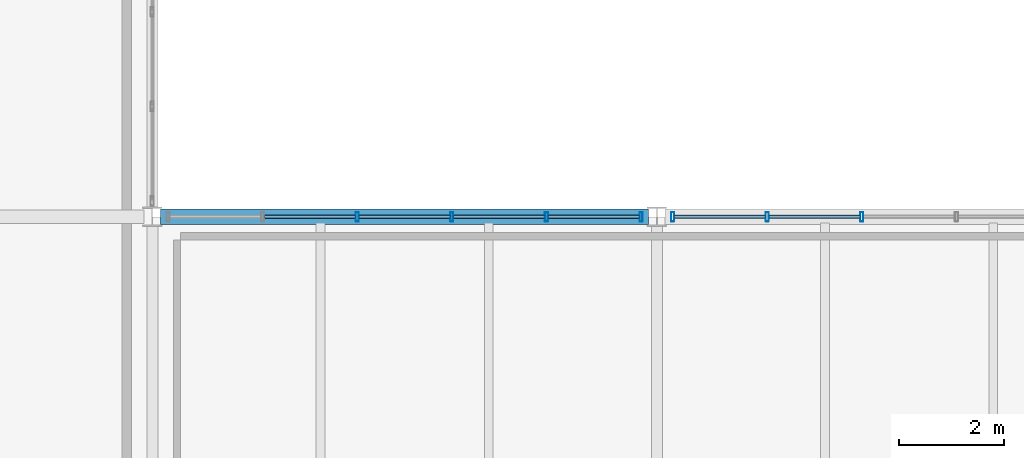
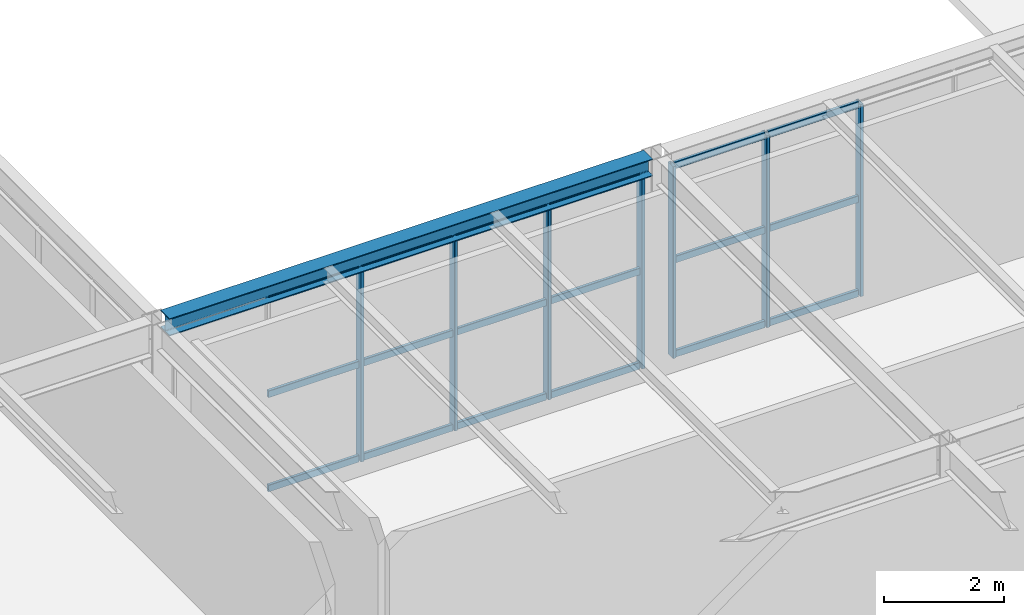
# One storey, part 34 of 170: 25 members, 1 beam, 2 elements without a shape of their own.
"""IFC4 building model written with IfcOpenShell, lengths in metres."""

from ifc_helpers import new_model, si_unit, direction, frame, origin, origin_2d, place, context, subcontext, project, spatial, hollow_rectangle, i_section, extrude, material, material_profile, profile_set, type_object, element, aggregate, save


model = new_model("IFC4")

# Units and contexts
model_context = context("Model", 3, precision=1e-05, world=origin(), true_north=direction((0.0, 1.0)))
body_context = subcontext(model_context, "Body", "Model", "MODEL_VIEW")
ifc_project = project(units=[si_unit("LENGTHUNIT", "METRE"), si_unit("AREAUNIT", "SQUARE_METRE"), si_unit("VOLUMEUNIT", "CUBIC_METRE"), si_unit("PLANEANGLEUNIT", "RADIAN"), si_unit("MASSUNIT", "GRAM", prefix="KILO")], contexts=[model_context])

# Site, building, storey
site_placement = place(None, origin())
site = spatial("IfcSite", under=ifc_project, at=site_placement, CompositionType="ELEMENT")
building_placement = place(site_placement, origin())
building = spatial("IfcBuilding", under=site, at=building_placement, Name="Coralgate Yard Interchange", CompositionType="ELEMENT")
storey_placement = place(building_placement, frame((0.0, 0.0, 6.0)))
storey = spatial("IfcBuildingStorey", under=building, at=storey_placement, Name="L01", CompositionType="ELEMENT", Elevation=6.0)

# Beam
ifc_material_1 = material(Name="Structural steel S355J2", Category="steel")
ifc_material_profile_1 = material_profile(ifc_material_1, i_section(OverallWidth=0.300048828125, OverallDepth=0.35009765625, WebThickness=0.010009765625, FlangeThickness=0.017578125, FilletRadius=0.027099609375, at=origin_2d()), Name="HEA 360")
ifc_profile_set_1 = profile_set([ifc_material_profile_1], Name="Structural steel S355J2")
beam_type = type_object("IfcBeamType", Name="BM-SP-1", PredefinedType="SPANDREL", material=ifc_profile_set_1)
beam_placement = place(storey_placement, frame((28.956298828125, 19.199951171875, 4.074951171875), z_axis=(1.0, 0.0, 0.0), x_axis=(0.0, 1.0, 0.0)))
element("IfcBeam", 1, at=beam_placement, inside=storey, type_object=beam_type, Name="L01 primary grid beam Y2 X3-4", PredefinedType="SPANDREL", context=body_context, shape_type="SweptSolid", body=[
    extrude(i_section(OverallWidth=0.300048828125, OverallDepth=0.35009765625, WebThickness=0.010009765625, FlangeThickness=0.017578125, FilletRadius=0.027099609375, at=origin_2d()), origin(), (0.0, 0.0, 1.0), 9.287353515625),
])

# Curtain wall, members
ifc_material_2 = material(Name="Anodised coastal aluminium and solar-control low-E glass", Category="aluminium")
curtain_wall_type = type_object("IfcCurtainWallType", Name="CW-CW-L01-A", PredefinedType="NOTDEFINED", material=ifc_material_2)
curtain_wall_1_placement = place(storey_placement, origin())
curtain_wall_1 = element("IfcCurtainWall", 2, at=curtain_wall_1_placement, inside=storey, type_object=curtain_wall_type, Name="L01 unitised curtain wall CW-L01-N-03-01", PredefinedType="NOTDEFINED")
ifc_material_3 = material(Name="Anodised coastal aluminium 6063-T6", Category="aluminium")
ifc_material_profile_2 = material_profile(ifc_material_3, hollow_rectangle(XDim=0.06005859375, YDim=0.179931640625, WallThickness=0.00390625, InnerFilletRadius=0.00390625, OuterFilletRadius=0.008056640625, at=origin_2d()), Name="ALU 60x180x4")
ifc_profile_set_2 = profile_set([ifc_material_profile_2], Name="Anodised coastal aluminium 6063-T6")
member_type_1 = type_object("IfcMemberType", Name="MB-MUL-180", PredefinedType="MULLION", material=ifc_profile_set_2)
member_1_placement = place(storey_placement, frame((32.699951171875, 19.199951171875, 0.0), z_axis=(0.0, 0.0, 1.0), x_axis=(1.0, 0.0, 0.0)))
member_1 = element("IfcMember", 3, at=member_1_placement, type_object=member_type_1, Name="CW-L01-N-03-01 vertical mullion 3", PredefinedType="MULLION", context=body_context, shape_type="SweptSolid", body=[
    extrude(hollow_rectangle(XDim=0.06005859375, YDim=0.179931640625, WallThickness=0.00390625, InnerFilletRadius=0.00390625, OuterFilletRadius=0.008056640625, at=origin_2d()), origin(), (0.0, 0.0, 1.0), 3.89990234375),
])
member_2_placement = place(storey_placement, frame((34.5, 19.199951171875, 0.0), z_axis=(0.0, 0.0, 1.0), x_axis=(1.0, 0.0, 0.0)))
member_2 = element("IfcMember", 4, at=member_2_placement, type_object=member_type_1, Name="CW-L01-N-03-01 vertical mullion 4", PredefinedType="MULLION", context=body_context, shape_type="SweptSolid", body=[
    extrude(hollow_rectangle(XDim=0.06005859375, YDim=0.179931640625, WallThickness=0.00390625, InnerFilletRadius=0.00390625, OuterFilletRadius=0.008056640625, at=origin_2d()), origin(), (0.0, 0.0, 1.0), 3.89990234375),
])
member_3_placement = place(storey_placement, frame((36.300048828125, 19.199951171875, 0.0), z_axis=(0.0, 0.0, 1.0), x_axis=(1.0, 0.0, 0.0)))
member_3 = element("IfcMember", 5, at=member_3_placement, type_object=member_type_1, Name="CW-L01-N-03-01 vertical mullion 5", PredefinedType="MULLION", context=body_context, shape_type="SweptSolid", body=[
    extrude(hollow_rectangle(XDim=0.06005859375, YDim=0.179931640625, WallThickness=0.00390625, InnerFilletRadius=0.00390625, OuterFilletRadius=0.008056640625, at=origin_2d()), origin(), (0.0, 0.0, 1.0), 3.89990234375),
])
member_4_placement = place(storey_placement, frame((38.10009765625, 19.199951171875, 0.0), z_axis=(0.0, 0.0, 1.0), x_axis=(1.0, 0.0, 0.0)))
member_4 = element("IfcMember", 6, at=member_4_placement, type_object=member_type_1, Name="CW-L01-N-03-01 vertical mullion 6", PredefinedType="MULLION", context=body_context, shape_type="SweptSolid", body=[
    extrude(hollow_rectangle(XDim=0.06005859375, YDim=0.179931640625, WallThickness=0.00390625, InnerFilletRadius=0.00390625, OuterFilletRadius=0.008056640625, at=origin_2d()), origin(), (0.0, 0.0, 1.0), 3.89990234375),
])

curtain_wall_2_placement = place(storey_placement, origin())
curtain_wall_2 = element("IfcCurtainWall", 7, at=curtain_wall_2_placement, inside=storey, type_object=curtain_wall_type, Name="L01 unitised curtain wall CW-L01-N-04-01", PredefinedType="NOTDEFINED")
member_5_placement = place(storey_placement, frame((38.699951171875, 19.199951171875, 0.0), z_axis=(0.0, 0.0, 1.0), x_axis=(1.0, 0.0, 0.0)))
member_5 = element("IfcMember", 8, at=member_5_placement, type_object=member_type_1, Name="CW-L01-N-04-01 vertical mullion 1", PredefinedType="MULLION", context=body_context, shape_type="SweptSolid", body=[
    extrude(hollow_rectangle(XDim=0.06005859375, YDim=0.179931640625, WallThickness=0.00390625, InnerFilletRadius=0.00390625, OuterFilletRadius=0.008056640625, at=origin_2d()), origin(), (0.0, 0.0, 1.0), 3.89990234375),
])
member_6_placement = place(storey_placement, frame((40.5, 19.199951171875, 0.0), z_axis=(0.0, 0.0, 1.0), x_axis=(1.0, 0.0, 0.0)))
member_6 = element("IfcMember", 9, at=member_6_placement, type_object=member_type_1, Name="CW-L01-N-04-01 vertical mullion 2", PredefinedType="MULLION", context=body_context, shape_type="SweptSolid", body=[
    extrude(hollow_rectangle(XDim=0.06005859375, YDim=0.179931640625, WallThickness=0.00390625, InnerFilletRadius=0.00390625, OuterFilletRadius=0.008056640625, at=origin_2d()), origin(), (0.0, 0.0, 1.0), 3.89990234375),
])
member_7_placement = place(storey_placement, frame((42.300048828125, 19.199951171875, 0.0), z_axis=(0.0, 0.0, 1.0), x_axis=(1.0, 0.0, 0.0)))
member_7 = element("IfcMember", 10, at=member_7_placement, type_object=member_type_1, Name="CW-L01-N-04-01 vertical mullion 3", PredefinedType="MULLION", context=body_context, shape_type="SweptSolid", body=[
    extrude(hollow_rectangle(XDim=0.06005859375, YDim=0.179931640625, WallThickness=0.00390625, InnerFilletRadius=0.00390625, OuterFilletRadius=0.008056640625, at=origin_2d()), origin(), (0.0, 0.0, 1.0), 3.89990234375),
])

# Member
ifc_material_profile_3 = material_profile(ifc_material_3, hollow_rectangle(XDim=0.06005859375, YDim=0.139892578125, WallThickness=0.00341796875, InnerFilletRadius=0.00341796875, OuterFilletRadius=0.007080078125, at=origin_2d()), Name="ALU 60x140x3.5")
ifc_profile_set_3 = profile_set([ifc_material_profile_3], Name="Anodised coastal aluminium 6063-T6")
member_type_2 = type_object("IfcMemberType", Name="MB-TRN-140", PredefinedType="USERDEFINED", material=ifc_profile_set_3)
member_8_placement = place(storey_placement, frame((30.929931640625, 19.199951171875, 0.034912109375), z_axis=(1.0, 0.0, 0.0), x_axis=(0.0, 1.0, 0.0)))
member_8 = element("IfcMember", 11, at=member_8_placement, type_object=member_type_2, Name="CW-L01-N-03-01 horizontal transom 2-1", ObjectType="TRANSOM", PredefinedType="USERDEFINED", context=body_context, shape_type="SweptSolid", body=[
    extrude(hollow_rectangle(XDim=0.06005859375, YDim=0.139892578125, WallThickness=0.00341796875, InnerFilletRadius=0.00341796875, OuterFilletRadius=0.007080078125, at=origin_2d()), origin(), (0.0, 0.0, 1.0), 1.739990234375),
])

member_9_placement = place(storey_placement, frame((30.929931640625, 19.199951171875, 1.949951171875), z_axis=(1.0, 0.0, 0.0), x_axis=(0.0, 1.0, 0.0)))
member_9 = element("IfcMember", 12, at=member_9_placement, type_object=member_type_2, Name="CW-L01-N-03-01 horizontal transom 2-2", ObjectType="TRANSOM", PredefinedType="USERDEFINED", context=body_context, shape_type="SweptSolid", body=[
    extrude(hollow_rectangle(XDim=0.06005859375, YDim=0.139892578125, WallThickness=0.00341796875, InnerFilletRadius=0.00341796875, OuterFilletRadius=0.007080078125, at=origin_2d()), origin(), (0.0, 0.0, 1.0), 1.739990234375),
])

member_10_placement = place(storey_placement, frame((30.929931640625, 19.199951171875, 3.864990234375), z_axis=(1.0, 0.0, 0.0), x_axis=(0.0, 1.0, 0.0)))
member_10 = element("IfcMember", 13, at=member_10_placement, type_object=member_type_2, Name="CW-L01-N-03-01 horizontal transom 2-3", ObjectType="TRANSOM", PredefinedType="USERDEFINED", context=body_context, shape_type="SweptSolid", body=[
    extrude(hollow_rectangle(XDim=0.06005859375, YDim=0.139892578125, WallThickness=0.00341796875, InnerFilletRadius=0.00341796875, OuterFilletRadius=0.007080078125, at=origin_2d()), origin(), (0.0, 0.0, 1.0), 1.739990234375),
])

member_11_placement = place(storey_placement, frame((32.72998046875, 19.199951171875, 0.034912109375), z_axis=(1.0, 0.0, 0.0), x_axis=(0.0, 1.0, 0.0)))
member_11 = element("IfcMember", 14, at=member_11_placement, type_object=member_type_2, Name="CW-L01-N-03-01 horizontal transom 3-1", ObjectType="TRANSOM", PredefinedType="USERDEFINED", context=body_context, shape_type="SweptSolid", body=[
    extrude(hollow_rectangle(XDim=0.06005859375, YDim=0.139892578125, WallThickness=0.00341796875, InnerFilletRadius=0.00341796875, OuterFilletRadius=0.007080078125, at=origin_2d()), origin(), (0.0, 0.0, 1.0), 1.739990234375),
])

member_12_placement = place(storey_placement, frame((32.72998046875, 19.199951171875, 1.949951171875), z_axis=(1.0, 0.0, 0.0), x_axis=(0.0, 1.0, 0.0)))
member_12 = element("IfcMember", 15, at=member_12_placement, type_object=member_type_2, Name="CW-L01-N-03-01 horizontal transom 3-2", ObjectType="TRANSOM", PredefinedType="USERDEFINED", context=body_context, shape_type="SweptSolid", body=[
    extrude(hollow_rectangle(XDim=0.06005859375, YDim=0.139892578125, WallThickness=0.00341796875, InnerFilletRadius=0.00341796875, OuterFilletRadius=0.007080078125, at=origin_2d()), origin(), (0.0, 0.0, 1.0), 1.739990234375),
])

member_13_placement = place(storey_placement, frame((32.72998046875, 19.199951171875, 3.864990234375), z_axis=(1.0, 0.0, 0.0), x_axis=(0.0, 1.0, 0.0)))
member_13 = element("IfcMember", 16, at=member_13_placement, type_object=member_type_2, Name="CW-L01-N-03-01 horizontal transom 3-3", ObjectType="TRANSOM", PredefinedType="USERDEFINED", context=body_context, shape_type="SweptSolid", body=[
    extrude(hollow_rectangle(XDim=0.06005859375, YDim=0.139892578125, WallThickness=0.00341796875, InnerFilletRadius=0.00341796875, OuterFilletRadius=0.007080078125, at=origin_2d()), origin(), (0.0, 0.0, 1.0), 1.739990234375),
])

member_14_placement = place(storey_placement, frame((34.530029296875, 19.199951171875, 0.034912109375), z_axis=(1.0, 0.0, 0.0), x_axis=(0.0, 1.0, 0.0)))
member_14 = element("IfcMember", 17, at=member_14_placement, type_object=member_type_2, Name="CW-L01-N-03-01 horizontal transom 4-1", ObjectType="TRANSOM", PredefinedType="USERDEFINED", context=body_context, shape_type="SweptSolid", body=[
    extrude(hollow_rectangle(XDim=0.06005859375, YDim=0.139892578125, WallThickness=0.00341796875, InnerFilletRadius=0.00341796875, OuterFilletRadius=0.007080078125, at=origin_2d()), origin(), (0.0, 0.0, 1.0), 1.739990234375),
])

member_15_placement = place(storey_placement, frame((34.530029296875, 19.199951171875, 1.949951171875), z_axis=(1.0, 0.0, 0.0), x_axis=(0.0, 1.0, 0.0)))
member_15 = element("IfcMember", 18, at=member_15_placement, type_object=member_type_2, Name="CW-L01-N-03-01 horizontal transom 4-2", ObjectType="TRANSOM", PredefinedType="USERDEFINED", context=body_context, shape_type="SweptSolid", body=[
    extrude(hollow_rectangle(XDim=0.06005859375, YDim=0.139892578125, WallThickness=0.00341796875, InnerFilletRadius=0.00341796875, OuterFilletRadius=0.007080078125, at=origin_2d()), origin(), (0.0, 0.0, 1.0), 1.739990234375),
])

member_16_placement = place(storey_placement, frame((34.530029296875, 19.199951171875, 3.864990234375), z_axis=(1.0, 0.0, 0.0), x_axis=(0.0, 1.0, 0.0)))
member_16 = element("IfcMember", 19, at=member_16_placement, type_object=member_type_2, Name="CW-L01-N-03-01 horizontal transom 4-3", ObjectType="TRANSOM", PredefinedType="USERDEFINED", context=body_context, shape_type="SweptSolid", body=[
    extrude(hollow_rectangle(XDim=0.06005859375, YDim=0.139892578125, WallThickness=0.00341796875, InnerFilletRadius=0.00341796875, OuterFilletRadius=0.007080078125, at=origin_2d()), origin(), (0.0, 0.0, 1.0), 1.739990234375),
])

member_17_placement = place(storey_placement, frame((36.330078125, 19.199951171875, 0.034912109375), z_axis=(1.0, 0.0, 0.0), x_axis=(0.0, 1.0, 0.0)))
member_17 = element("IfcMember", 20, at=member_17_placement, type_object=member_type_2, Name="CW-L01-N-03-01 horizontal transom 5-1", ObjectType="TRANSOM", PredefinedType="USERDEFINED", context=body_context, shape_type="SweptSolid", body=[
    extrude(hollow_rectangle(XDim=0.06005859375, YDim=0.139892578125, WallThickness=0.00341796875, InnerFilletRadius=0.00341796875, OuterFilletRadius=0.007080078125, at=origin_2d()), origin(), (0.0, 0.0, 1.0), 1.739990234375),
])

member_18_placement = place(storey_placement, frame((36.330078125, 19.199951171875, 1.949951171875), z_axis=(1.0, 0.0, 0.0), x_axis=(0.0, 1.0, 0.0)))
member_18 = element("IfcMember", 21, at=member_18_placement, type_object=member_type_2, Name="CW-L01-N-03-01 horizontal transom 5-2", ObjectType="TRANSOM", PredefinedType="USERDEFINED", context=body_context, shape_type="SweptSolid", body=[
    extrude(hollow_rectangle(XDim=0.06005859375, YDim=0.139892578125, WallThickness=0.00341796875, InnerFilletRadius=0.00341796875, OuterFilletRadius=0.007080078125, at=origin_2d()), origin(), (0.0, 0.0, 1.0), 1.739990234375),
])

member_19_placement = place(storey_placement, frame((36.330078125, 19.199951171875, 3.864990234375), z_axis=(1.0, 0.0, 0.0), x_axis=(0.0, 1.0, 0.0)))
member_19 = element("IfcMember", 22, at=member_19_placement, type_object=member_type_2, Name="CW-L01-N-03-01 horizontal transom 5-3", ObjectType="TRANSOM", PredefinedType="USERDEFINED", context=body_context, shape_type="SweptSolid", body=[
    extrude(hollow_rectangle(XDim=0.06005859375, YDim=0.139892578125, WallThickness=0.00341796875, InnerFilletRadius=0.00341796875, OuterFilletRadius=0.007080078125, at=origin_2d()), origin(), (0.0, 0.0, 1.0), 1.739990234375),
])

aggregate(curtain_wall_1, [member_1, member_2, member_3, member_4, member_8, member_9, member_10, member_11, member_12, member_13, member_14, member_15, member_16, member_17, member_18, member_19])

member_20_placement = place(storey_placement, frame((38.72998046875, 19.199951171875, 0.034912109375), z_axis=(1.0, 0.0, 0.0), x_axis=(0.0, 1.0, 0.0)))
member_20 = element("IfcMember", 23, at=member_20_placement, type_object=member_type_2, Name="CW-L01-N-04-01 horizontal transom 1-1", ObjectType="TRANSOM", PredefinedType="USERDEFINED", context=body_context, shape_type="SweptSolid", body=[
    extrude(hollow_rectangle(XDim=0.06005859375, YDim=0.139892578125, WallThickness=0.00341796875, InnerFilletRadius=0.00341796875, OuterFilletRadius=0.007080078125, at=origin_2d()), origin(), (0.0, 0.0, 1.0), 1.739990234375),
])

member_21_placement = place(storey_placement, frame((38.72998046875, 19.199951171875, 1.949951171875), z_axis=(1.0, 0.0, 0.0), x_axis=(0.0, 1.0, 0.0)))
member_21 = element("IfcMember", 24, at=member_21_placement, type_object=member_type_2, Name="CW-L01-N-04-01 horizontal transom 1-2", ObjectType="TRANSOM", PredefinedType="USERDEFINED", context=body_context, shape_type="SweptSolid", body=[
    extrude(hollow_rectangle(XDim=0.06005859375, YDim=0.139892578125, WallThickness=0.00341796875, InnerFilletRadius=0.00341796875, OuterFilletRadius=0.007080078125, at=origin_2d()), origin(), (0.0, 0.0, 1.0), 1.739990234375),
])

member_22_placement = place(storey_placement, frame((38.72998046875, 19.199951171875, 3.864990234375), z_axis=(1.0, 0.0, 0.0), x_axis=(0.0, 1.0, 0.0)))
member_22 = element("IfcMember", 25, at=member_22_placement, type_object=member_type_2, Name="CW-L01-N-04-01 horizontal transom 1-3", ObjectType="TRANSOM", PredefinedType="USERDEFINED", context=body_context, shape_type="SweptSolid", body=[
    extrude(hollow_rectangle(XDim=0.06005859375, YDim=0.139892578125, WallThickness=0.00341796875, InnerFilletRadius=0.00341796875, OuterFilletRadius=0.007080078125, at=origin_2d()), origin(), (0.0, 0.0, 1.0), 1.739990234375),
])

member_23_placement = place(storey_placement, frame((40.530029296875, 19.199951171875, 0.034912109375), z_axis=(1.0, 0.0, 0.0), x_axis=(0.0, 1.0, 0.0)))
member_23 = element("IfcMember", 26, at=member_23_placement, type_object=member_type_2, Name="CW-L01-N-04-01 horizontal transom 2-1", ObjectType="TRANSOM", PredefinedType="USERDEFINED", context=body_context, shape_type="SweptSolid", body=[
    extrude(hollow_rectangle(XDim=0.06005859375, YDim=0.139892578125, WallThickness=0.00341796875, InnerFilletRadius=0.00341796875, OuterFilletRadius=0.007080078125, at=origin_2d()), origin(), (0.0, 0.0, 1.0), 1.739990234375),
])

member_24_placement = place(storey_placement, frame((40.530029296875, 19.199951171875, 1.949951171875), z_axis=(1.0, 0.0, 0.0), x_axis=(0.0, 1.0, 0.0)))
member_24 = element("IfcMember", 27, at=member_24_placement, type_object=member_type_2, Name="CW-L01-N-04-01 horizontal transom 2-2", ObjectType="TRANSOM", PredefinedType="USERDEFINED", context=body_context, shape_type="SweptSolid", body=[
    extrude(hollow_rectangle(XDim=0.06005859375, YDim=0.139892578125, WallThickness=0.00341796875, InnerFilletRadius=0.00341796875, OuterFilletRadius=0.007080078125, at=origin_2d()), origin(), (0.0, 0.0, 1.0), 1.739990234375),
])

member_25_placement = place(storey_placement, frame((40.530029296875, 19.199951171875, 3.864990234375), z_axis=(1.0, 0.0, 0.0), x_axis=(0.0, 1.0, 0.0)))
member_25 = element("IfcMember", 28, at=member_25_placement, type_object=member_type_2, Name="CW-L01-N-04-01 horizontal transom 2-3", ObjectType="TRANSOM", PredefinedType="USERDEFINED", context=body_context, shape_type="SweptSolid", body=[
    extrude(hollow_rectangle(XDim=0.06005859375, YDim=0.139892578125, WallThickness=0.00341796875, InnerFilletRadius=0.00341796875, OuterFilletRadius=0.007080078125, at=origin_2d()), origin(), (0.0, 0.0, 1.0), 1.739990234375),
])

aggregate(curtain_wall_2, [member_5, member_6, member_7, member_20, member_21, member_22, member_23, member_24, member_25])

save(model, "model.ifc")
